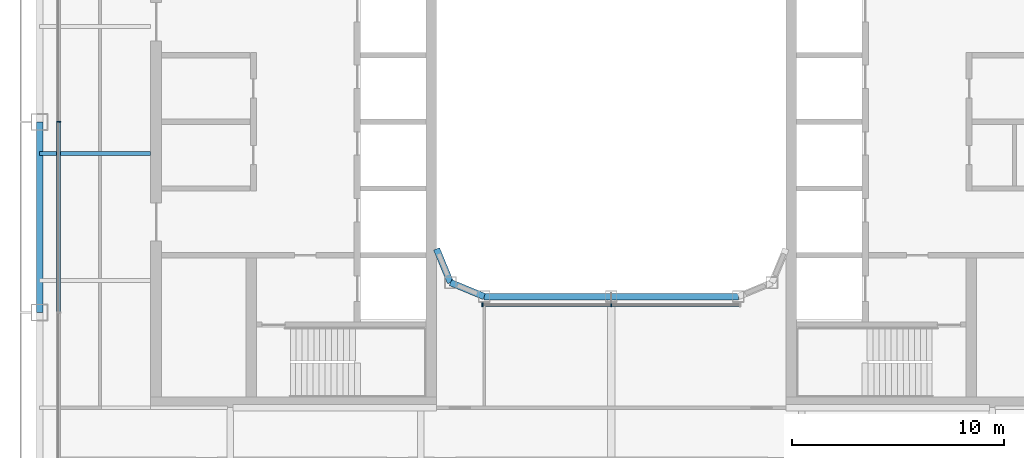
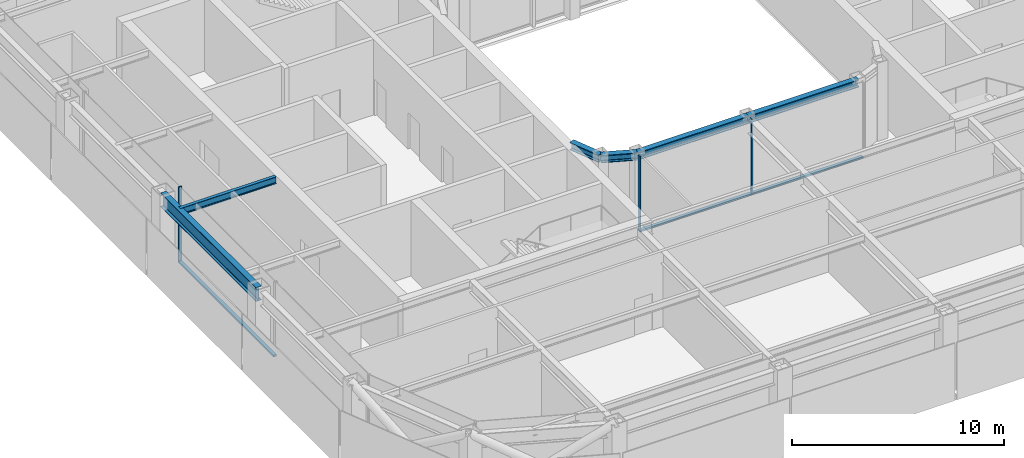
# One storey, part 3 of 22: 6 beams, 6 members, 2 elements without a shape of their own.
"""IFC4 building model written with IfcOpenShell, lengths in metres."""

from ifc_helpers import new_model, si_unit, direction, frame, origin, origin_2d, place, context, subcontext, project, spatial, rectangle, i_section, extrude, material, layer, layer_set, material_profile, profile_set, type_object, element, aggregate, save


model = new_model("IFC4")

# Units and contexts
model_context = context("Model", 3, precision=1e-05, world=origin(), true_north=direction((0.0, 1.0)))
body_context = subcontext(model_context, "Body", "Model", "MODEL_VIEW")
ifc_project = project(units=[si_unit("LENGTHUNIT", "METRE"), si_unit("AREAUNIT", "SQUARE_METRE"), si_unit("VOLUMEUNIT", "CUBIC_METRE"), si_unit("PLANEANGLEUNIT", "RADIAN"), si_unit("MASSUNIT", "GRAM", prefix="KILO")], contexts=[model_context])

# Site, building, storey
site_placement = place(None, origin())
site = spatial("IfcSite", under=ifc_project, at=site_placement, CompositionType="ELEMENT")
building_placement = place(site_placement, origin())
building = spatial("IfcBuilding", under=site, at=building_placement, Name="Siwar Civic Tower", CompositionType="ELEMENT")
storey_placement = place(building_placement, frame((0.0, 0.0, 255.699951171875)))
storey = spatial("IfcBuildingStorey", under=building, at=storey_placement, Name="L55", CompositionType="ELEMENT", Elevation=255.699951171875)

# Curtain wall, member
ifc_material_1 = material(Name="Aluminium and glass", Category="aluminium")
ifc_layer_1 = layer(ifc_material_1, 0.179931640625)
ifc_layer_set_1 = layer_set([ifc_layer_1], Name="Aluminium and glass")
curtain_wall_type_1 = type_object("IfcCurtainWallType", Name="ENV-CW-C", PredefinedType="NOTDEFINED", material=ifc_layer_set_1)
curtain_wall_1_placement = place(storey_placement, origin())
curtain_wall_1 = element("IfcCurtainWall", 1, at=curtain_wall_1_placement, inside=storey, type_object=curtain_wall_type_1, Name="Curtain wall C W", PredefinedType="NOTDEFINED")
ifc_material_2 = material(Name="Aluminium 6063-T6", Category="aluminium")
ifc_material_profile_1 = material_profile(ifc_material_2, rectangle(XDim=0.179931640625, YDim=0.06005859375, at=origin_2d()), Name="AL 180x60")
ifc_profile_set_1 = profile_set([ifc_material_profile_1], Name="Aluminium 6063-T6")
member_type_1 = type_object("IfcMemberType", Name="ENV-MULLION-C", PredefinedType="MULLION", material=ifc_profile_set_1)
member_1_placement = place(storey_placement, frame((-26.10009765625, 0.0, 0.0), z_axis=(0.0, 0.0, 1.0), x_axis=(1.0, 0.0, 0.0)))
member_1 = element("IfcMember", 2, at=member_1_placement, type_object=member_type_1, Name="Mullion C W 3", PredefinedType="MULLION", context=body_context, shape_type="SweptSolid", body=[
    extrude(rectangle(XDim=0.179931640625, YDim=0.06005859375, at=origin_2d()), origin(), (0.0, 0.0, 1.0), 4.35009765625),
])

# Curtain wall, members
ifc_material_3 = material(Name="Aluminium and glass", Category="aluminium")
ifc_layer_2 = layer(ifc_material_3, 0.179931640625)
ifc_layer_set_2 = layer_set([ifc_layer_2], Name="Aluminium and glass")
curtain_wall_type_2 = type_object("IfcCurtainWallType", Name="ENV-CW-W", PredefinedType="NOTDEFINED", material=ifc_layer_set_2)
curtain_wall_2_placement = place(storey_placement, origin())
curtain_wall_2 = element("IfcCurtainWall", 3, at=curtain_wall_2_placement, inside=storey, type_object=curtain_wall_type_2, Name="Curtain wall W WS", PredefinedType="NOTDEFINED")
ifc_material_4 = material(Name="Aluminium 6063-T6", Category="aluminium")
ifc_material_profile_2 = material_profile(ifc_material_4, rectangle(XDim=0.179931640625, YDim=0.06005859375, at=origin_2d()), Name="AL 180x60")
ifc_profile_set_2 = profile_set([ifc_material_profile_2], Name="Aluminium 6063-T6")
member_type_2 = type_object("IfcMemberType", Name="ENV-MULLION-W", PredefinedType="MULLION", material=ifc_profile_set_2)
member_2_placement = place(storey_placement, frame((-6.07666015625, -8.635009765625, 0.0), z_axis=(0.0, 0.0, 1.0), x_axis=(0.0, 1.0, 0.0)))
member_2 = element("IfcMember", 4, at=member_2_placement, type_object=member_type_2, Name="Mullion W WS 1", PredefinedType="MULLION", context=body_context, shape_type="SweptSolid", body=[
    extrude(rectangle(XDim=0.179931640625, YDim=0.06005859375, at=origin_2d()), origin(), (0.0, 0.0, 1.0), 4.35009765625),
])
member_3_placement = place(storey_placement, frame((0.0, -8.635009765625, 0.0), z_axis=(0.0, 0.0, 1.0), x_axis=(0.0, 1.0, 0.0)))
member_3 = element("IfcMember", 5, at=member_3_placement, type_object=member_type_2, Name="Mullion W WS 2", PredefinedType="MULLION", context=body_context, shape_type="SweptSolid", body=[
    extrude(rectangle(XDim=0.179931640625, YDim=0.06005859375, at=origin_2d()), origin(), (0.0, 0.0, 1.0), 4.35009765625),
])

# Member
ifc_material_5 = material(Name="Aluminium 6063-T6", Category="aluminium")
ifc_material_profile_3 = material_profile(ifc_material_5, rectangle(XDim=0.179931640625, YDim=0.10009765625, at=origin_2d()), Name="AL 180x100")
ifc_profile_set_3 = profile_set([ifc_material_profile_3], Name="Aluminium 6063-T6")
member_type_3 = type_object("IfcMemberType", Name="ENV-TRANSOM-C", PredefinedType="USERDEFINED", material=ifc_profile_set_3)
member_4_placement = place(storey_placement, frame((-26.10009765625, -0.030029296875, 0.050048828125), z_axis=(0.0, -1.0, 0.0), x_axis=(1.0, 0.0, 0.0)))
member_4 = element("IfcMember", 6, at=member_4_placement, type_object=member_type_3, Name="Transom C W 3", ObjectType="TRANSOM", PredefinedType="USERDEFINED", context=body_context, shape_type="SweptSolid", body=[
    extrude(rectangle(XDim=0.179931640625, YDim=0.10009765625, at=origin_2d()), origin(), (0.0, 0.0, 1.0), 8.93994140625),
])

aggregate(curtain_wall_1, [member_1, member_4])

ifc_material_6 = material(Name="Aluminium 6063-T6", Category="aluminium")
ifc_material_profile_4 = material_profile(ifc_material_6, rectangle(XDim=0.179931640625, YDim=0.10009765625, at=origin_2d()), Name="AL 180x100")
ifc_profile_set_4 = profile_set([ifc_material_profile_4], Name="Aluminium 6063-T6")
member_type_4 = type_object("IfcMemberType", Name="ENV-TRANSOM-W", PredefinedType="USERDEFINED", material=ifc_profile_set_4)
member_5_placement = place(storey_placement, frame((-6.046630859375, -8.635009765625, 0.050048828125), z_axis=(1.0, 0.0, 0.0), x_axis=(0.0, 1.0, 0.0)))
member_5 = element("IfcMember", 7, at=member_5_placement, type_object=member_type_4, Name="Transom W WS 1", ObjectType="TRANSOM", PredefinedType="USERDEFINED", context=body_context, shape_type="SweptSolid", body=[
    extrude(rectangle(XDim=0.179931640625, YDim=0.10009765625, at=origin_2d()), origin(), (0.0, 0.0, 1.0), 6.0166015625),
])

member_6_placement = place(storey_placement, frame((0.030029296875, -8.635009765625, 0.050048828125), z_axis=(1.0, 0.0, 0.0), x_axis=(0.0, 1.0, 0.0)))
member_6 = element("IfcMember", 8, at=member_6_placement, type_object=member_type_4, Name="Transom W WS 2", ObjectType="TRANSOM", PredefinedType="USERDEFINED", context=body_context, shape_type="SweptSolid", body=[
    extrude(rectangle(XDim=0.179931640625, YDim=0.10009765625, at=origin_2d()), origin(), (0.0, 0.0, 1.0), 6.0166015625),
])

aggregate(curtain_wall_2, [member_2, member_3, member_5, member_6])

# Beams
ifc_material_7 = material(Name="Steel S355", Category="steel")
ifc_material_profile_5 = material_profile(ifc_material_7, i_section(OverallWidth=0.179931640625, OverallDepth=0.39990234375, WebThickness=0.008544921875, FlangeThickness=0.013427734375, FilletRadius=0.02099609375, at=origin_2d()), Name="IPE400")
ifc_profile_set_5 = profile_set([ifc_material_profile_5], Name="Steel S355")
beam_type_1 = type_object("IfcBeamType", Name="STR-FB-IPE400", PredefinedType="JOIST", material=ifc_profile_set_5)
beam_1_placement = place(storey_placement, frame((-27.0, -1.5, 4.150146484375), z_axis=(1.0, 0.0, 0.0), x_axis=(0.0, 1.0, 0.0)))
element("IfcBeam", 9, at=beam_1_placement, inside=storey, type_object=beam_type_1, Name="L55/bm/F023", PredefinedType="JOIST", context=body_context, shape_type="SweptSolid", body=[
    extrude(i_section(OverallWidth=0.179931640625, OverallDepth=0.39990234375, WebThickness=0.008544921875, FlangeThickness=0.013427734375, FilletRadius=0.02099609375, at=origin_2d()), origin(), (0.0, 0.0, 1.0), 5.25),
])
ifc_material_8 = material(Name="Steel S355", Category="steel")
ifc_material_profile_6 = material_profile(ifc_material_8, i_section(OverallWidth=0.306884765625, OverallDepth=0.431884765625, WebThickness=0.02099609375, FlangeThickness=0.0400390625, FilletRadius=0.027099609375, at=origin_2d()), Name="HEM400")
ifc_profile_set_6 = profile_set([ifc_material_profile_6], Name="Steel S355")
beam_type_2 = type_object("IfcBeamType", Name="STR-RB-HEM400", PredefinedType="BEAM", material=ifc_profile_set_6)
beam_2_placement = place(storey_placement, frame((-7.591064453125, -7.591064453125, 4.134033203125), z_axis=(0.923901072997, -0.382631424892, 0.0), x_axis=(0.382631424892, 0.923901072997, 0.0)))
element("IfcBeam", 10, at=beam_2_placement, inside=storey, type_object=beam_type_2, Name="L55/bm/RS0", PredefinedType="BEAM", context=body_context, shape_type="SweptSolid", body=[
    extrude(i_section(OverallWidth=0.306884765625, OverallDepth=0.431884765625, WebThickness=0.02099609375, FlangeThickness=0.0400390625, FilletRadius=0.027099609375, at=origin_2d()), origin(), (0.0, 0.0, 1.0), 1.72216796875),
])
for number, where, z_axis, x_axis, name in (
    (11, (-6.0, -8.25, 4.134033203125), (1.0, 0.0, 0.0), (0.0, 1.0, 0.0), "L55/bm/RS1"),
    (12, (0.0, -8.25, 4.134033203125), (1.0, 0.0, 0.0), (0.0, 1.0, 0.0), "L55/bm/RS2"),
):
    element("IfcBeam", number, at=place(storey_placement, frame(where, z_axis=z_axis, x_axis=x_axis)), inside=storey, type_object=beam_type_2, Name=name, PredefinedType="BEAM", context=body_context, shape_type="SweptSolid", body=[
        extrude(i_section(OverallWidth=0.306884765625, OverallDepth=0.431884765625, WebThickness=0.02099609375, FlangeThickness=0.0400390625, FilletRadius=0.027099609375, at=origin_2d()), origin(), (0.0, 0.0, 1.0), 6.0),
    ])
beam_3_placement = place(storey_placement, frame((-7.591064453125, -7.591064453125, 4.134033203125), z_axis=(-0.382631424892, 0.923901072997, 0.0), x_axis=(-0.923901072997, -0.382631424892, 0.0)))
element("IfcBeam", 13, at=beam_3_placement, inside=storey, type_object=beam_type_2, Name="L55/bm/RSEW", PredefinedType="BEAM", context=body_context, shape_type="SweptSolid", body=[
    extrude(i_section(OverallWidth=0.306884765625, OverallDepth=0.431884765625, WebThickness=0.02099609375, FlangeThickness=0.0400390625, FilletRadius=0.027099609375, at=origin_2d()), origin(), (0.0, 0.0, 1.0), 1.72216796875),
])
ifc_material_9 = material(Name="Steel S355", Category="steel")
ifc_material_profile_7 = material_profile(ifc_material_9, i_section(OverallWidth=0.300048828125, OverallDepth=0.800048828125, WebThickness=0.017578125, FlangeThickness=0.032958984375, FilletRadius=0.030029296875, at=origin_2d()), Name="HEB800")
ifc_profile_set_7 = profile_set([ifc_material_profile_7], Name="Steel S355")
beam_type_3 = type_object("IfcBeamType", Name="STR-SB-HEB800", PredefinedType="BEAM", material=ifc_profile_set_7)
beam_4_placement = place(storey_placement, frame((-27.0, 0.0, 3.949951171875), z_axis=(0.0, -1.0, 0.0), x_axis=(1.0, 0.0, 0.0)))
element("IfcBeam", 14, at=beam_4_placement, inside=storey, type_object=beam_type_3, Name="L55/bm/SW-2", PredefinedType="BEAM", context=body_context, shape_type="SweptSolid", body=[
    extrude(i_section(OverallWidth=0.300048828125, OverallDepth=0.800048828125, WebThickness=0.017578125, FlangeThickness=0.032958984375, FilletRadius=0.030029296875, at=origin_2d()), origin(), (0.0, 0.0, 1.0), 9.0),
])

save(model, "model.ifc")
